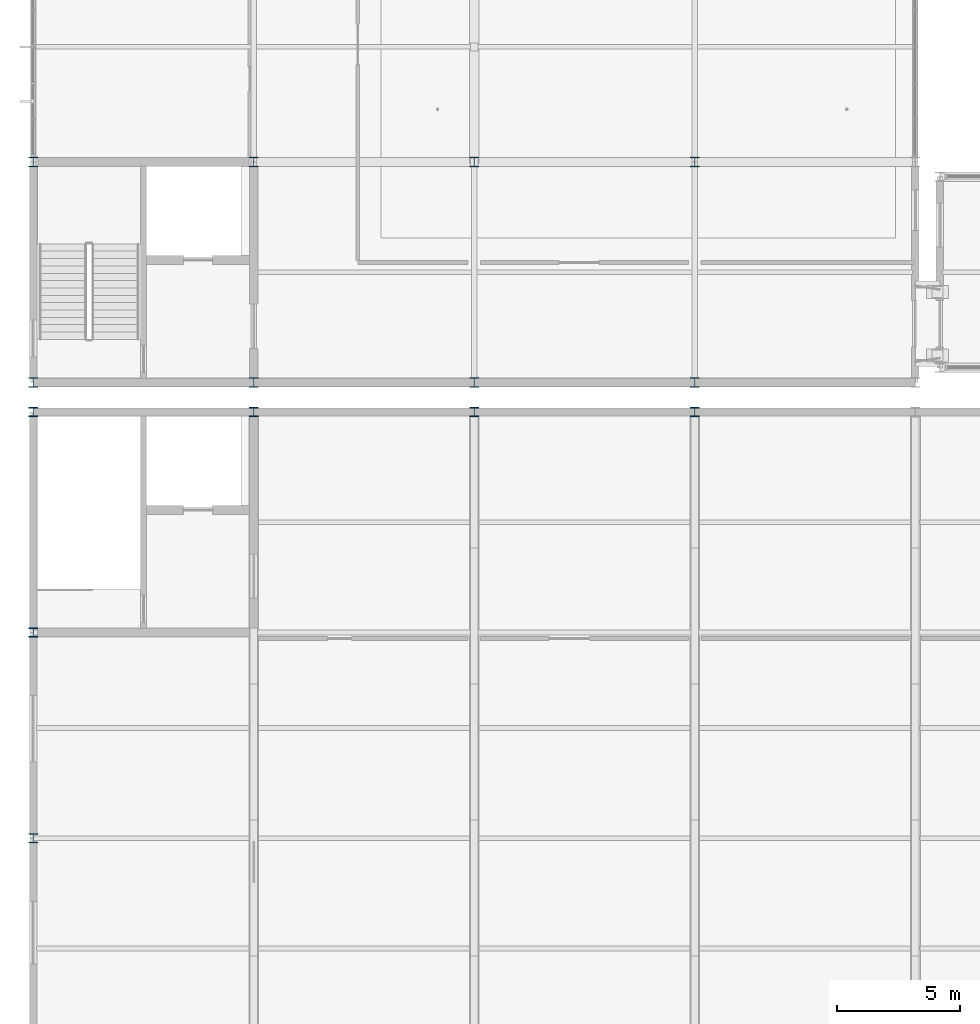
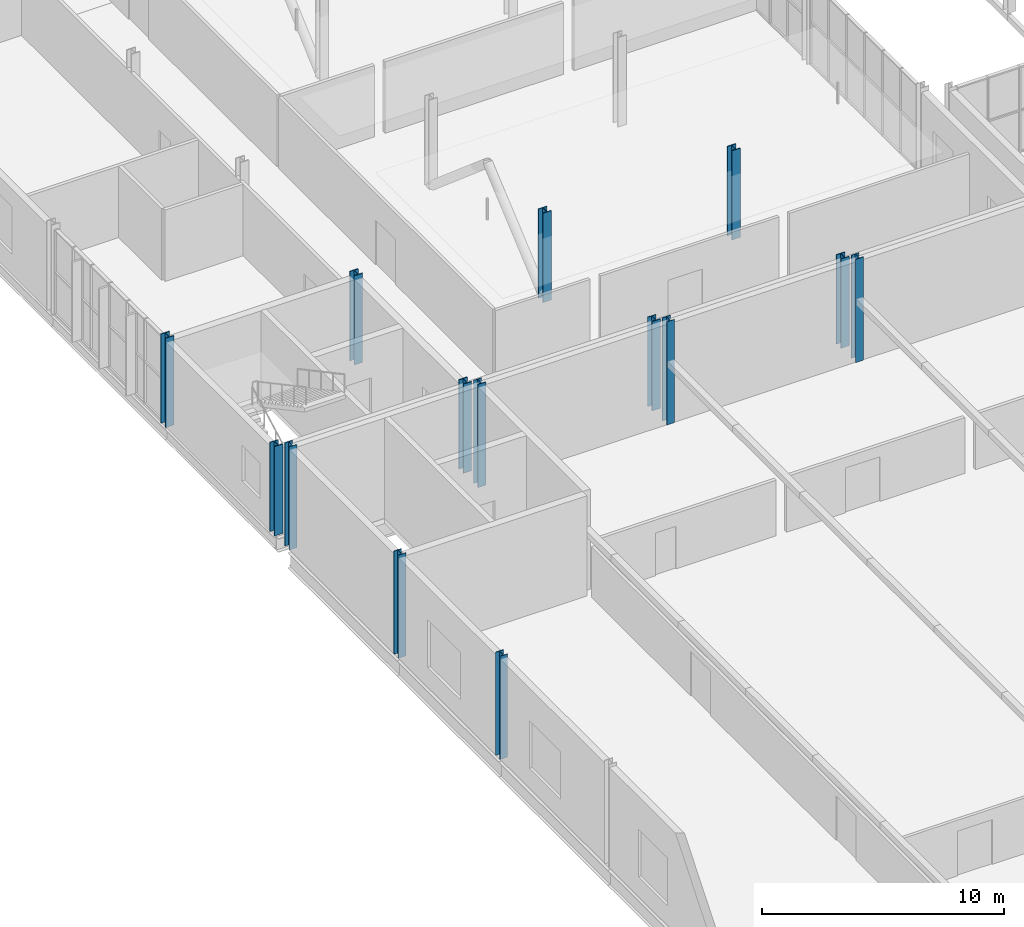
# One storey, part 3 of 134: 14 columns.
"""IFC4 building model written with IfcOpenShell, lengths in metres."""

import ifcopenshell
import ifcopenshell.guid

model = None  # the IFC model being written
_history = None  # IfcOwnerHistory: only IFC2X3 demands one
_inside = {}  # id of a spatial element -> (the spatial element, [elements in it])
_under = {}  # id of a project, library or spatial element -> (it, [spatial elements below it])
_declared = {}  # id of a project -> (the project, [libraries it declares])
_typed = {}  # id of a type object -> (the type object, [elements of that type])
_made_of = {}  # id of a material, layer set ... -> (it, [elements and type objects made of it])


def new_model(schema):
    """Start an empty IFC model of exactly this schema.

    Asked for "IFC4X3", IfcOpenShell would pick the latest addendum, in which some entities
    have other attributes; the version numbers below select the first issue.
    IFC2X3 requires an IfcOwnerHistory on every rooted entity: one is made here for all.
    """
    global model, _history
    if schema == "IFC4X3":
        model = ifcopenshell.file(schema_version=(4, 3, 0, 0))
    else:
        model = ifcopenshell.file(schema=schema)
    _inside.clear()
    _under.clear()
    _declared.clear()
    _typed.clear()
    _made_of.clear()
    _history = None
    if model.schema == "IFC2X3":
        org = make("IfcOrganization", Name="unknown")
        user = make(
            "IfcPersonAndOrganization",
            ThePerson=make("IfcPerson", FamilyName="unknown"),
            TheOrganization=org,
        )
        app = make(
            "IfcApplication",
            ApplicationDeveloper=org,
            Version="unknown",
            ApplicationFullName="unknown",
            ApplicationIdentifier="unknown",
        )
        _history = make(
            "IfcOwnerHistory",
            OwningUser=user,
            OwningApplication=app,
            ChangeAction="ADDED",
            CreationDate=0,
        )
    return model


def make(cls, **values):
    """One entity of the class cls with the attributes given. An attribute that is None is left unset."""
    return model.create_entity(
        cls, **{name: value for name, value in values.items() if value is not None}
    )


def rooted(cls, **values):
    """An entity with a GlobalId (a new one), such as an element, a storey or a relation."""
    return make(cls, GlobalId=ifcopenshell.guid.new(), OwnerHistory=_history, **values)


def si_unit(unit_type, name, prefix=None):
    """IfcSIUnit, for example si_unit("LENGTHUNIT", "METRE", prefix="MILLI")."""
    return make("IfcSIUnit", UnitType=unit_type, Prefix=prefix, Name=name)


def assignment(units):
    """IfcUnitAssignment: the units of a project."""
    return None if units is None else make("IfcUnitAssignment", Units=units)


def point(xyz):
    """IfcCartesianPoint."""
    return None if xyz is None else make("IfcCartesianPoint", Coordinates=xyz)


def direction(xyz):
    """IfcDirection."""
    return None if xyz is None else make("IfcDirection", DirectionRatios=xyz)


def frame(location, z_axis=None, x_axis=None):
    """IfcAxis2Placement3D, a coordinate frame: its origin and axes. An axis left out is left unset."""
    return make(
        "IfcAxis2Placement3D",
        Location=point(location),
        Axis=direction(z_axis),
        RefDirection=direction(x_axis),
    )


def frame_2d(location, x_axis=None):
    """IfcAxis2Placement2D, a coordinate frame in the plane: its origin and x axis."""
    return make(
        "IfcAxis2Placement2D", Location=point(location), RefDirection=direction(x_axis)
    )


def origin():
    """The frame at (0, 0, 0) with its axes left unset."""
    return frame((0.0, 0.0, 0.0))


def origin_2d():
    """The frame at (0, 0) in the plane with its x axis left unset."""
    return frame_2d((0.0, 0.0))


def place(relative_to, where):
    """IfcLocalPlacement: puts the frame where relative to a parent placement (None: the world)."""
    return make(
        "IfcLocalPlacement", PlacementRelTo=relative_to, RelativePlacement=where
    )


def context(
    kind, dimensions, precision=None, world=None, true_north=None, identifier=None
):
    """IfcGeometricRepresentationContext, for example the 3D "Model" context."""
    return make(
        "IfcGeometricRepresentationContext",
        ContextIdentifier=identifier,
        ContextType=kind,
        CoordinateSpaceDimension=dimensions,
        Precision=precision,
        WorldCoordinateSystem=world,
        TrueNorth=true_north,
    )


def subcontext(parent, identifier, kind, view, scale=None):
    """IfcGeometricRepresentationSubContext, for example "Body" below "Model"."""
    return make(
        "IfcGeometricRepresentationSubContext",
        ContextIdentifier=identifier,
        ContextType=kind,
        ParentContext=parent,
        TargetScale=scale,
        TargetView=view,
    )


def project(units=None, contexts=None):
    """IfcProject with its units and contexts."""
    return rooted(
        "IfcProject",
        Name="project",
        RepresentationContexts=contexts,
        UnitsInContext=assignment(units),
    )


def spatial(cls, under=None, at=None, **own):
    """A site, building, storey or space (cls), placed at a placement, below another one or the project."""
    s = rooted(cls, ObjectPlacement=at, **own)
    if under is not None:
        _under.setdefault(under.id(), (under, []))[1].append(s)
    return s


def profile(cls, at=None, kind="AREA", **sizes):
    """A parametric profile (cls). Its sizes go by their IFC names, for example OverallWidth=200.0."""
    return make(cls, ProfileType=kind, Position=at, **sizes)


def i_section(**sizes):
    """IfcIShapeProfileDef."""
    return profile("IfcIShapeProfileDef", **sizes)


def extrude(swept, where, along, depth):
    """IfcExtrudedAreaSolid: the profile swept, set in the frame where, extruded along a direction by depth."""
    return make(
        "IfcExtrudedAreaSolid",
        SweptArea=swept,
        Position=where,
        ExtrudedDirection=direction(along),
        Depth=depth,
    )


def shape(context_of_items, identifier, shape_type, items):
    """IfcShapeRepresentation: the items that make up one representation, for example the "Body"."""
    return make(
        "IfcShapeRepresentation",
        ContextOfItems=context_of_items,
        RepresentationIdentifier=identifier,
        RepresentationType=shape_type,
        Items=items,
    )


def material(Name=None, Category=None):
    """IfcMaterial."""
    return make("IfcMaterial", Name=Name, Category=Category)


def material_profile(
    of_material, cross_section, Name=None, Category=None, Priority=None
):
    """IfcMaterialProfile: a cross section and its material."""
    return make(
        "IfcMaterialProfile",
        Name=Name,
        Material=of_material,
        Profile=cross_section,
        Priority=Priority,
        Category=Category,
    )


def profile_set(profiles, Name=None, composite=None):
    """IfcMaterialProfileSet."""
    return make(
        "IfcMaterialProfileSet",
        Name=Name,
        MaterialProfiles=profiles,
        CompositeProfile=composite,
    )


def made_of(thing, what):
    """Note that an element or type object is made of a material, layer set ...; save() writes the relation."""
    if what is not None:
        _made_of.setdefault(what.id(), (what, []))[1].append(thing)
    return thing


def type_object(cls, material=None, **own):
    """A type object (cls), such as IfcWallType, which elements share."""
    return made_of(rooted(cls, **own), material)


def element(
    cls,
    number,
    at=None,
    inside=None,
    cuts=None,
    type_object=None,
    material=None,
    context=None,
    identifier="Body",
    shape_type=None,
    held_by="IfcProductDefinitionShape",
    body=None,
    shapes=None,
    **own,
):
    """One element of the class cls, such as IfcWall. Its Tag is "e" and its number.

    at: its placement. inside: the storey or other place that contains it. cuts: it is an
    opening in that element (IfcRelVoidsElement). A single representation is given by context,
    identifier, shape_type and body (its items); several are given by shapes. held_by: the class
    of the entity that holds the representations. save() writes the other relations.
    """
    e = rooted(cls, Tag="e%d" % number, ObjectPlacement=at, **own)
    if body is not None:
        shapes = [shape(context, identifier, shape_type, body)]
    if shapes is not None:
        e.Representation = make(held_by, Representations=shapes)
    if inside is not None:
        _inside.setdefault(inside.id(), (inside, []))[1].append(e)
    if cuts is not None:
        rooted(
            "IfcRelVoidsElement", RelatingBuildingElement=cuts, RelatedOpeningElement=e
        )
    if type_object is not None:
        _typed.setdefault(type_object.id(), (type_object, []))[1].append(e)
    return made_of(e, material)


def aggregate(whole, parts):
    """IfcRelAggregates: a whole, such as a stair, and the parts it consists of."""
    return rooted("IfcRelAggregates", RelatingObject=whole, RelatedObjects=parts)


def save(model, path):
    """Write the relations noted so far, then the file.

    IfcRelAggregates (storeys below a building ...), IfcRelContainedInSpatialStructure (elements
    in a storey), IfcRelDefinesByType, IfcRelAssociatesMaterial and IfcRelDeclares: one each for
    every whole, place, type object, material and project.
    """
    for whole, parts in _under.values():
        aggregate(whole, parts)
    for where, things in _inside.values():
        rooted(
            "IfcRelContainedInSpatialStructure",
            RelatedElements=things,
            RelatingStructure=where,
        )
    for kind, things in _typed.values():
        rooted("IfcRelDefinesByType", RelatedObjects=things, RelatingType=kind)
    for what, things in _made_of.values():
        rooted("IfcRelAssociatesMaterial", RelatedObjects=things, RelatingMaterial=what)
    for by, libraries in _declared.values():
        rooted("IfcRelDeclares", RelatingContext=by, RelatedDefinitions=libraries)
    model.write(path)


model = new_model("IFC4")

# Units and contexts
model_context = context("Model", 3, precision=1e-05, world=origin(), true_north=direction((0.0, 1.0)))
body_context = subcontext(model_context, "Body", "Model", "MODEL_VIEW")
ifc_project = project(units=[si_unit("LENGTHUNIT", "METRE"), si_unit("AREAUNIT", "SQUARE_METRE"), si_unit("VOLUMEUNIT", "CUBIC_METRE"), si_unit("PLANEANGLEUNIT", "RADIAN"), si_unit("MASSUNIT", "GRAM", prefix="KILO")], contexts=[model_context])

# Site, building, storey
site_placement = place(None, origin())
site = spatial("IfcSite", under=ifc_project, at=site_placement, CompositionType="ELEMENT")
building_placement = place(site_placement, origin())
building = spatial("IfcBuilding", under=site, at=building_placement, Name="Cazmaro Siding Exhibition Halls", CompositionType="ELEMENT")
storey_placement = place(building_placement, frame((0.0, 0.0, 12.0)))
storey = spatial("IfcBuildingStorey", under=building, at=storey_placement, Name="L02", CompositionType="ELEMENT", Elevation=12.0)

# Columns
ifc_material_1 = material(Name="Steel ASTM A992 Grade 50", Category="steel")
ifc_material_profile_1 = material_profile(ifc_material_1, i_section(OverallWidth=0.40087890625, OverallDepth=0.39892578125, WebThickness=0.02490234375, FlangeThickness=0.0400390625, at=origin_2d()), Name="W14X211")
ifc_profile_set_1 = profile_set([ifc_material_profile_1], Name="Steel ASTM A992 Grade 50")
column_type_1 = type_object("IfcColumnType", Name="C-02", PredefinedType="COLUMN", material=ifc_profile_set_1)
for number, where, z_axis, x_axis, name in (
    (1, (0.0, 54.60009765625, 0.0), (0.0, 0.0, 1.0), (1.0, 0.0, 0.0), "Column C-02 COL-0883"),
    (2, (0.0, 63.60009765625, 0.0), (0.0, 0.0, 1.0), (1.0, 0.0, 0.0), "Column C-02 COL-0888"),
    (3, (9.0, 54.60009765625, 0.0), (0.0, 0.0, 1.0), (1.0, 0.0, 0.0), "Column C-02 COL-0923"),
    (4, (9.0, 63.60009765625, 0.0), (0.0, 0.0, 1.0), (1.0, 0.0, 0.0), "Column C-02 COL-0928"),
    (5, (18.0, 54.60009765625, 0.0), (0.0, 0.0, 1.0), (1.0, 0.0, 0.0), "Column C-02 COL-0963"),
    (6, (18.0, 63.60009765625, 0.0), (0.0, 0.0, 1.0), (1.0, 0.0, 0.0), "Column C-02 COL-0968"),
    (7, (27.0, 54.60009765625, 0.0), (0.0, 0.0, 1.0), (1.0, 0.0, 0.0), "Column C-02 COL-1003"),
    (8, (27.0, 63.60009765625, 0.0), (0.0, 0.0, 1.0), (1.0, 0.0, 0.0), "Column C-02 COL-1008"),
):
    element("IfcColumn", number, at=place(storey_placement, frame(where, z_axis=z_axis, x_axis=x_axis)), inside=storey, type_object=column_type_1, Name=name, PredefinedType="COLUMN", context=body_context, shape_type="SweptSolid", body=[
        extrude(i_section(OverallWidth=0.40087890625, OverallDepth=0.39892578125, WebThickness=0.02490234375, FlangeThickness=0.0400390625, at=origin_2d()), origin(), (0.0, 0.0, 1.0), 4.5),
    ])
ifc_material_2 = material(Name="Steel ASTM A992 Grade 50", Category="steel")
ifc_material_profile_2 = material_profile(ifc_material_2, i_section(OverallWidth=0.373046875, OverallDepth=0.373046875, WebThickness=0.01611328125, FlangeThickness=0.02587890625, at=origin_2d()), Name="W14X132")
ifc_profile_set_2 = profile_set([ifc_material_profile_2], Name="Steel ASTM A992 Grade 50")
column_type_2 = type_object("IfcColumnType", Name="C-04", PredefinedType="COLUMN", material=ifc_profile_set_2)
for number, where, z_axis, x_axis, name in (
    (9, (27.0, 53.39990234375, 0.0), (0.0, 0.0, 1.0), (1.0, 0.0, 0.0), "Column C-04 COL-0837"),
    (10, (18.0, 53.39990234375, 0.0), (0.0, 0.0, 1.0), (1.0, 0.0, 0.0), "Column C-04 COL-0840"),
    (11, (9.0, 53.39990234375, 0.0), (0.0, 0.0, 1.0), (1.0, 0.0, 0.0), "Column C-04 COL-0843"),
    (12, (0.0, 53.39990234375, 0.0), (0.0, 0.0, 1.0), (1.0, 0.0, 0.0), "Column C-04 COL-0846"),
    (13, (0.0, 44.39990234375, 0.0), (0.0, 0.0, 1.0), (1.0, 0.0, 0.0), "Column C-04 COL-0849"),
    (14, (0.0, 36.0, 0.0), (0.0, 0.0, 1.0), (1.0, 0.0, 0.0), "Column C-04 COL-0852"),
):
    element("IfcColumn", number, at=place(storey_placement, frame(where, z_axis=z_axis, x_axis=x_axis)), inside=storey, type_object=column_type_2, Name=name, PredefinedType="COLUMN", context=body_context, shape_type="SweptSolid", body=[
        extrude(i_section(OverallWidth=0.373046875, OverallDepth=0.373046875, WebThickness=0.01611328125, FlangeThickness=0.02587890625, at=origin_2d()), origin(), (0.0, 0.0, 1.0), 5.199951171875),
    ])

save(model, "model.ifc")
